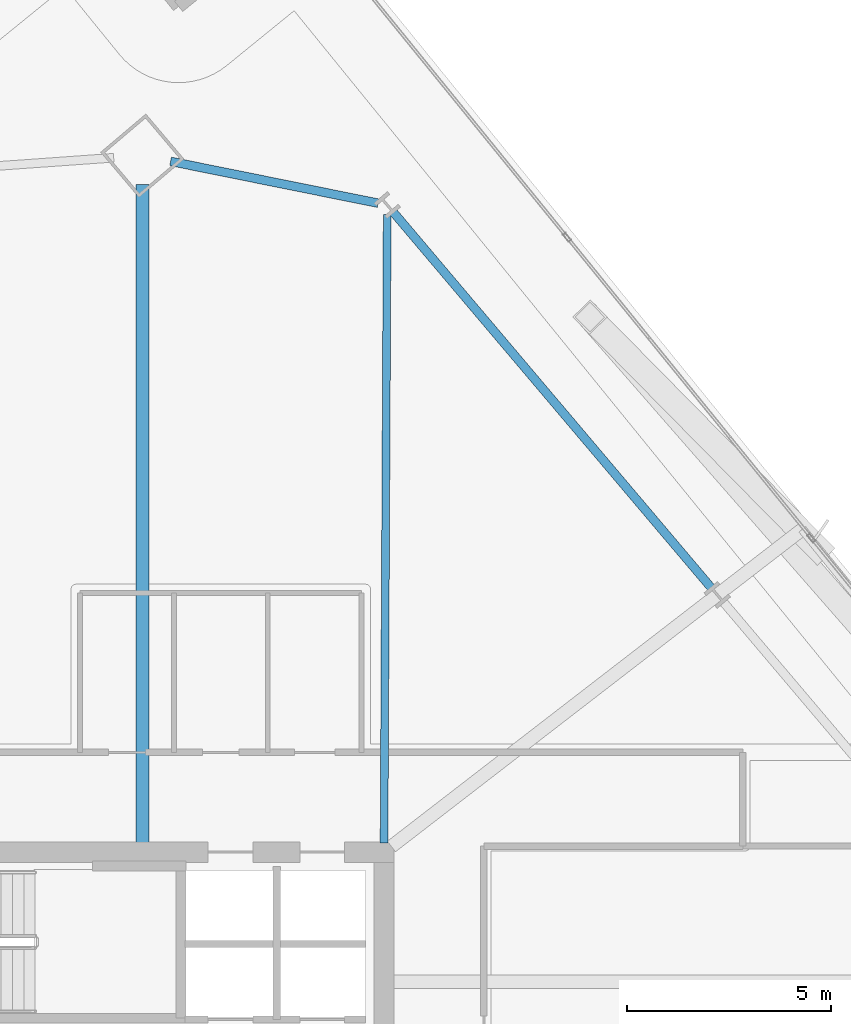
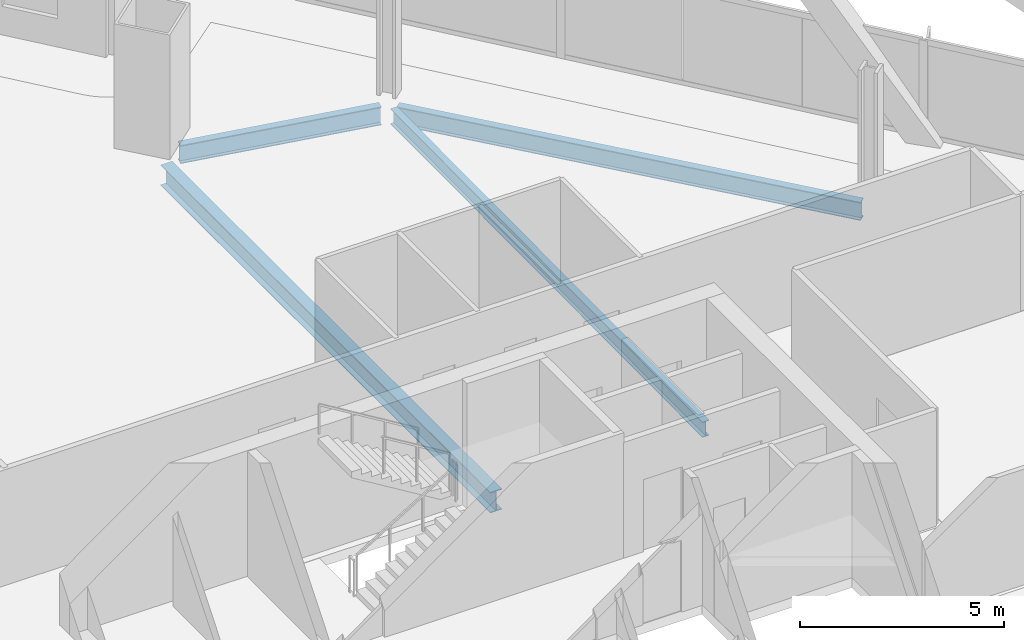
# One storey, part 23 of 36: 4 beams.
"""IFC4 building model written with IfcOpenShell, lengths in metres."""

from ifc_helpers import new_model, si_unit, direction, frame, origin, origin_2d, place, context, subcontext, project, spatial, i_section, extrude, material, material_profile, profile_set, type_object, element, save


model = new_model("IFC4")

# Units and contexts
model_context = context("Model", 3, precision=1e-05, world=origin(), true_north=direction((0.0, 1.0)))
body_context = subcontext(model_context, "Body", "Model", "MODEL_VIEW")
ifc_project = project(units=[si_unit("LENGTHUNIT", "METRE"), si_unit("AREAUNIT", "SQUARE_METRE"), si_unit("VOLUMEUNIT", "CUBIC_METRE"), si_unit("PLANEANGLEUNIT", "RADIAN"), si_unit("MASSUNIT", "GRAM", prefix="KILO")], contexts=[model_context])

# Site, building, storey
site_placement = place(None, origin())
site = spatial("IfcSite", under=ifc_project, at=site_placement, CompositionType="ELEMENT")
building_placement = place(site_placement, origin())
building = spatial("IfcBuilding", under=site, at=building_placement, Name="Haldenkirk Collegiate Tower", CompositionType="ELEMENT")
storey_placement = place(building_placement, frame((0.0, 0.0, 159.449951171875)))
storey = spatial("IfcBuildingStorey", under=building, at=storey_placement, Name="L39", CompositionType="ELEMENT", Elevation=159.449951171875)

# Beams
ifc_material = material(Name="Steel ASTM A992 Grade 50", Category="steel")
ifc_material_profile_1 = material_profile(ifc_material, i_section(OverallWidth=0.324951171875, OverallDepth=0.615966796875, WebThickness=0.013916015625, FlangeThickness=0.021484375, at=origin_2d()), Name="W24X117")
ifc_profile_set_1 = profile_set([ifc_material_profile_1], Name="Steel ASTM A992 Grade 50")
beam_type_1 = type_object("IfcBeamType", Name="BM-GIRDER-W24X117", PredefinedType="BEAM", material=ifc_profile_set_1)
beam_1_placement = place(storey_placement, frame((39.076904296875, 50.3701171875, -0.597900390625), z_axis=(0.0, -1.0, 0.0), x_axis=(1.0, 0.0, 0.0)))
element("IfcBeam", 1, at=beam_1_placement, inside=storey, type_object=beam_type_1, Name="L39 primary floor girder 03", PredefinedType="BEAM", context=body_context, shape_type="SweptSolid", body=[
    extrude(i_section(OverallWidth=0.324951171875, OverallDepth=0.615966796875, WebThickness=0.013916015625, FlangeThickness=0.021484375, at=origin_2d()), origin(), (0.0, 0.0, 1.0), 16.14013671875),
])
ifc_material_profile_2 = material_profile(ifc_material, i_section(OverallWidth=0.18994140625, OverallDepth=0.45703125, WebThickness=0.009033203125, FlangeThickness=0.014404296875, at=origin_2d()), Name="W18X50")
ifc_profile_set_2 = profile_set([ifc_material_profile_2], Name="Steel ASTM A992 Grade 50")
beam_type_2 = type_object("IfcBeamType", Name="BM-JOIST-W18X50", PredefinedType="JOIST", material=ifc_profile_set_2)
beam_2_placement = place(storey_placement, frame((45.07861328125, 49.63623046875, -0.5185546875), z_axis=(-0.005023389964, -0.999987382697, 0.0), x_axis=(0.999987382697, -0.005023389964, 0.0)))
element("IfcBeam", 2, at=beam_2_placement, inside=storey, type_object=beam_type_2, Name="L39 composite floor joist 10", PredefinedType="JOIST", context=body_context, shape_type="SweptSolid", body=[
    extrude(i_section(OverallWidth=0.18994140625, OverallDepth=0.45703125, WebThickness=0.009033203125, FlangeThickness=0.014404296875, at=origin_2d()), origin(), (0.0, 0.0, 1.0), 15.406494140625),
])
ifc_material_profile_3 = material_profile(ifc_material, i_section(OverallWidth=0.2119140625, OverallDepth=0.5439453125, WebThickness=0.01318359375, FlangeThickness=0.021240234375, at=origin_2d()), Name="W21X83")
ifc_profile_set_3 = profile_set([ifc_material_profile_3], Name="Steel ASTM A992 Grade 50")
beam_type_3 = type_object("IfcBeamType", Name="BM-SPANDREL-W21X83", PredefinedType="SPANDREL", material=ifc_profile_set_3)
beam_3_placement = place(storey_placement, frame((53.023193359375, 40.482177734375, -0.56201171875), z_axis=(-0.646126367676, 0.763230448157, 0.0), x_axis=(-0.763230448157, -0.646126367676, 0.0)))
element("IfcBeam", 3, at=beam_3_placement, inside=storey, type_object=beam_type_3, Name="L39 perimeter spandrel beam 07", PredefinedType="SPANDREL", context=body_context, shape_type="SweptSolid", body=[
    extrude(i_section(OverallWidth=0.2119140625, OverallDepth=0.5439453125, WebThickness=0.01318359375, FlangeThickness=0.021240234375, at=origin_2d()), origin(), (0.0, 0.0, 1.0), 12.06494140625),
])
beam_4_placement = place(storey_placement, frame((44.85546875, 49.910400390625, -0.56201171875), z_axis=(-0.980286465062, 0.197581493102, 0.0), x_axis=(-0.197581493102, -0.980286465062, 0.0)))
element("IfcBeam", 4, at=beam_4_placement, inside=storey, type_object=beam_type_3, Name="L39 perimeter spandrel beam 08", PredefinedType="SPANDREL", context=body_context, shape_type="SweptSolid", body=[
    extrude(i_section(OverallWidth=0.2119140625, OverallDepth=0.5439453125, WebThickness=0.01318359375, FlangeThickness=0.021240234375, at=origin_2d()), origin(), (0.0, 0.0, 1.0), 5.189697265625),
])

save(model, "model.ifc")
